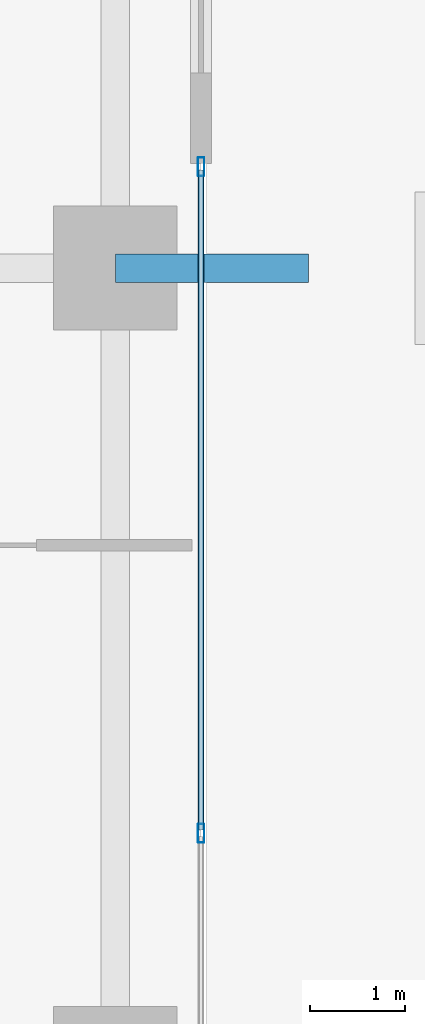
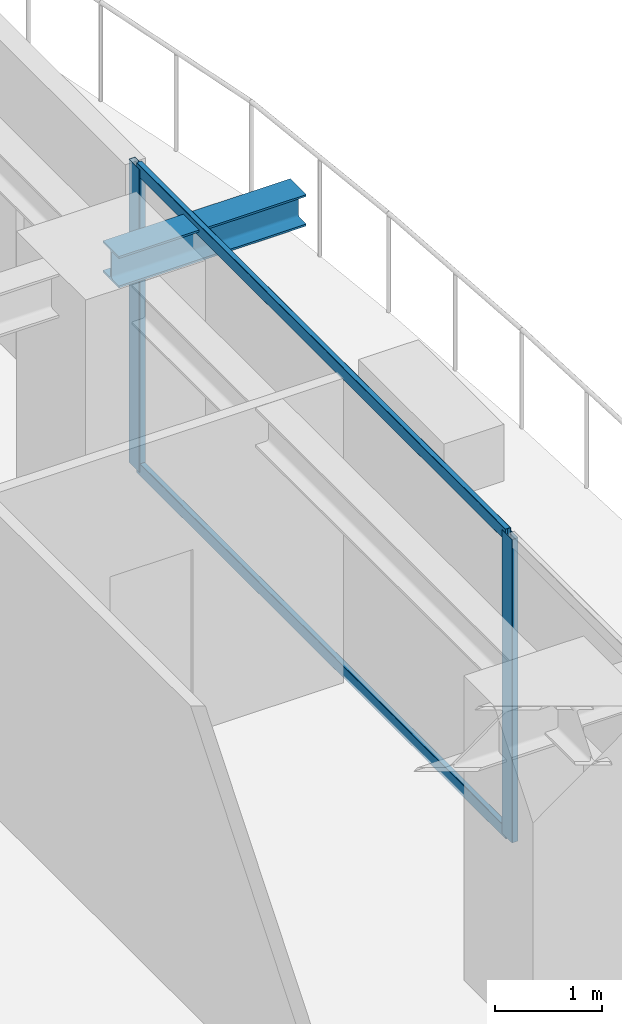
# One storey, part 13 of 33: 4 members, 1 beam, 1 element without a shape of its own.
"""IFC4 building model written with IfcOpenShell, lengths in metres."""

import ifcopenshell
import ifcopenshell.guid

model = None  # the IFC model being written
_history = None  # IfcOwnerHistory: only IFC2X3 demands one
_inside = {}  # id of a spatial element -> (the spatial element, [elements in it])
_under = {}  # id of a project, library or spatial element -> (it, [spatial elements below it])
_declared = {}  # id of a project -> (the project, [libraries it declares])
_typed = {}  # id of a type object -> (the type object, [elements of that type])
_made_of = {}  # id of a material, layer set ... -> (it, [elements and type objects made of it])


def new_model(schema):
    """Start an empty IFC model of exactly this schema.

    Asked for "IFC4X3", IfcOpenShell would pick the latest addendum, in which some entities
    have other attributes; the version numbers below select the first issue.
    IFC2X3 requires an IfcOwnerHistory on every rooted entity: one is made here for all.
    """
    global model, _history
    if schema == "IFC4X3":
        model = ifcopenshell.file(schema_version=(4, 3, 0, 0))
    else:
        model = ifcopenshell.file(schema=schema)
    _inside.clear()
    _under.clear()
    _declared.clear()
    _typed.clear()
    _made_of.clear()
    _history = None
    if model.schema == "IFC2X3":
        org = make("IfcOrganization", Name="unknown")
        user = make(
            "IfcPersonAndOrganization",
            ThePerson=make("IfcPerson", FamilyName="unknown"),
            TheOrganization=org,
        )
        app = make(
            "IfcApplication",
            ApplicationDeveloper=org,
            Version="unknown",
            ApplicationFullName="unknown",
            ApplicationIdentifier="unknown",
        )
        _history = make(
            "IfcOwnerHistory",
            OwningUser=user,
            OwningApplication=app,
            ChangeAction="ADDED",
            CreationDate=0,
        )
    return model


def make(cls, **values):
    """One entity of the class cls with the attributes given. An attribute that is None is left unset."""
    return model.create_entity(
        cls, **{name: value for name, value in values.items() if value is not None}
    )


def rooted(cls, **values):
    """An entity with a GlobalId (a new one), such as an element, a storey or a relation."""
    return make(cls, GlobalId=ifcopenshell.guid.new(), OwnerHistory=_history, **values)


def si_unit(unit_type, name, prefix=None):
    """IfcSIUnit, for example si_unit("LENGTHUNIT", "METRE", prefix="MILLI")."""
    return make("IfcSIUnit", UnitType=unit_type, Prefix=prefix, Name=name)


def assignment(units):
    """IfcUnitAssignment: the units of a project."""
    return None if units is None else make("IfcUnitAssignment", Units=units)


def point(xyz):
    """IfcCartesianPoint."""
    return None if xyz is None else make("IfcCartesianPoint", Coordinates=xyz)


def direction(xyz):
    """IfcDirection."""
    return None if xyz is None else make("IfcDirection", DirectionRatios=xyz)


def frame(location, z_axis=None, x_axis=None):
    """IfcAxis2Placement3D, a coordinate frame: its origin and axes. An axis left out is left unset."""
    return make(
        "IfcAxis2Placement3D",
        Location=point(location),
        Axis=direction(z_axis),
        RefDirection=direction(x_axis),
    )


def frame_2d(location, x_axis=None):
    """IfcAxis2Placement2D, a coordinate frame in the plane: its origin and x axis."""
    return make(
        "IfcAxis2Placement2D", Location=point(location), RefDirection=direction(x_axis)
    )


def origin():
    """The frame at (0, 0, 0) with its axes left unset."""
    return frame((0.0, 0.0, 0.0))


def origin_2d():
    """The frame at (0, 0) in the plane with its x axis left unset."""
    return frame_2d((0.0, 0.0))


def place(relative_to, where):
    """IfcLocalPlacement: puts the frame where relative to a parent placement (None: the world)."""
    return make(
        "IfcLocalPlacement", PlacementRelTo=relative_to, RelativePlacement=where
    )


def context(
    kind, dimensions, precision=None, world=None, true_north=None, identifier=None
):
    """IfcGeometricRepresentationContext, for example the 3D "Model" context."""
    return make(
        "IfcGeometricRepresentationContext",
        ContextIdentifier=identifier,
        ContextType=kind,
        CoordinateSpaceDimension=dimensions,
        Precision=precision,
        WorldCoordinateSystem=world,
        TrueNorth=true_north,
    )


def subcontext(parent, identifier, kind, view, scale=None):
    """IfcGeometricRepresentationSubContext, for example "Body" below "Model"."""
    return make(
        "IfcGeometricRepresentationSubContext",
        ContextIdentifier=identifier,
        ContextType=kind,
        ParentContext=parent,
        TargetScale=scale,
        TargetView=view,
    )


def project(units=None, contexts=None):
    """IfcProject with its units and contexts."""
    return rooted(
        "IfcProject",
        Name="project",
        RepresentationContexts=contexts,
        UnitsInContext=assignment(units),
    )


def spatial(cls, under=None, at=None, **own):
    """A site, building, storey or space (cls), placed at a placement, below another one or the project."""
    s = rooted(cls, ObjectPlacement=at, **own)
    if under is not None:
        _under.setdefault(under.id(), (under, []))[1].append(s)
    return s


def profile(cls, at=None, kind="AREA", **sizes):
    """A parametric profile (cls). Its sizes go by their IFC names, for example OverallWidth=200.0."""
    return make(cls, ProfileType=kind, Position=at, **sizes)


def hollow_rectangle(**sizes):
    """IfcRectangleHollowProfileDef."""
    return profile("IfcRectangleHollowProfileDef", **sizes)


def i_section(**sizes):
    """IfcIShapeProfileDef."""
    return profile("IfcIShapeProfileDef", **sizes)


def extrude(swept, where, along, depth):
    """IfcExtrudedAreaSolid: the profile swept, set in the frame where, extruded along a direction by depth."""
    return make(
        "IfcExtrudedAreaSolid",
        SweptArea=swept,
        Position=where,
        ExtrudedDirection=direction(along),
        Depth=depth,
    )


def shape(context_of_items, identifier, shape_type, items):
    """IfcShapeRepresentation: the items that make up one representation, for example the "Body"."""
    return make(
        "IfcShapeRepresentation",
        ContextOfItems=context_of_items,
        RepresentationIdentifier=identifier,
        RepresentationType=shape_type,
        Items=items,
    )


def source(mapping_origin, context_of_items, identifier, shape_type, items):
    """IfcRepresentationMap: a shape defined once, which mapped items show again and again."""
    return make(
        "IfcRepresentationMap",
        MappingOrigin=mapping_origin,
        MappedRepresentation=shape(context_of_items, identifier, shape_type, items),
    )


def transform(
    local_origin,
    x_axis=None,
    y_axis=None,
    z_axis=None,
    scale=None,
    scale2=None,
    scale3=None,
    uniform=True,
):
    """IfcCartesianTransformationOperator3D, or its non-uniform kind. x_axis, y_axis, z_axis: its Axis1, 2, 3."""
    if uniform:
        return make(
            "IfcCartesianTransformationOperator3D",
            Axis1=direction(x_axis),
            Axis2=direction(y_axis),
            LocalOrigin=point(local_origin),
            Scale=scale,
            Axis3=direction(z_axis),
        )
    return make(
        "IfcCartesianTransformationOperator3DnonUniform",
        Axis1=direction(x_axis),
        Axis2=direction(y_axis),
        LocalOrigin=point(local_origin),
        Scale=scale,
        Axis3=direction(z_axis),
        Scale2=scale2,
        Scale3=scale3,
    )


def mapped(mapping_source, mapping_target):
    """IfcMappedItem: shows the shape of a source again, moved by a transform."""
    return make(
        "IfcMappedItem", MappingSource=mapping_source, MappingTarget=mapping_target
    )


def material(Name=None, Category=None):
    """IfcMaterial."""
    return make("IfcMaterial", Name=Name, Category=Category)


def layer(
    of_material, thickness, ventilated=None, Name=None, Category=None, Priority=None
):
    """IfcMaterialLayer: one layer of a wall or slab, of a material (None: an air gap)."""
    return make(
        "IfcMaterialLayer",
        Material=of_material,
        LayerThickness=thickness,
        IsVentilated=ventilated,
        Name=Name,
        Category=Category,
        Priority=Priority,
    )


def layer_set(layers, Name=None):
    """IfcMaterialLayerSet."""
    return make("IfcMaterialLayerSet", MaterialLayers=layers, LayerSetName=Name)


def material_profile(
    of_material, cross_section, Name=None, Category=None, Priority=None
):
    """IfcMaterialProfile: a cross section and its material."""
    return make(
        "IfcMaterialProfile",
        Name=Name,
        Material=of_material,
        Profile=cross_section,
        Priority=Priority,
        Category=Category,
    )


def profile_set(profiles, Name=None, composite=None):
    """IfcMaterialProfileSet."""
    return make(
        "IfcMaterialProfileSet",
        Name=Name,
        MaterialProfiles=profiles,
        CompositeProfile=composite,
    )


def made_of(thing, what):
    """Note that an element or type object is made of a material, layer set ...; save() writes the relation."""
    if what is not None:
        _made_of.setdefault(what.id(), (what, []))[1].append(thing)
    return thing


def type_object(cls, material=None, **own):
    """A type object (cls), such as IfcWallType, which elements share."""
    return made_of(rooted(cls, **own), material)


def element(
    cls,
    number,
    at=None,
    inside=None,
    cuts=None,
    type_object=None,
    material=None,
    context=None,
    identifier="Body",
    shape_type=None,
    held_by="IfcProductDefinitionShape",
    body=None,
    shapes=None,
    **own,
):
    """One element of the class cls, such as IfcWall. Its Tag is "e" and its number.

    at: its placement. inside: the storey or other place that contains it. cuts: it is an
    opening in that element (IfcRelVoidsElement). A single representation is given by context,
    identifier, shape_type and body (its items); several are given by shapes. held_by: the class
    of the entity that holds the representations. save() writes the other relations.
    """
    e = rooted(cls, Tag="e%d" % number, ObjectPlacement=at, **own)
    if body is not None:
        shapes = [shape(context, identifier, shape_type, body)]
    if shapes is not None:
        e.Representation = make(held_by, Representations=shapes)
    if inside is not None:
        _inside.setdefault(inside.id(), (inside, []))[1].append(e)
    if cuts is not None:
        rooted(
            "IfcRelVoidsElement", RelatingBuildingElement=cuts, RelatedOpeningElement=e
        )
    if type_object is not None:
        _typed.setdefault(type_object.id(), (type_object, []))[1].append(e)
    return made_of(e, material)


def aggregate(whole, parts):
    """IfcRelAggregates: a whole, such as a stair, and the parts it consists of."""
    return rooted("IfcRelAggregates", RelatingObject=whole, RelatedObjects=parts)


def save(model, path):
    """Write the relations noted so far, then the file.

    IfcRelAggregates (storeys below a building ...), IfcRelContainedInSpatialStructure (elements
    in a storey), IfcRelDefinesByType, IfcRelAssociatesMaterial and IfcRelDeclares: one each for
    every whole, place, type object, material and project.
    """
    for whole, parts in _under.values():
        aggregate(whole, parts)
    for where, things in _inside.values():
        rooted(
            "IfcRelContainedInSpatialStructure",
            RelatedElements=things,
            RelatingStructure=where,
        )
    for kind, things in _typed.values():
        rooted("IfcRelDefinesByType", RelatedObjects=things, RelatingType=kind)
    for what, things in _made_of.values():
        rooted("IfcRelAssociatesMaterial", RelatedObjects=things, RelatingMaterial=what)
    for by, libraries in _declared.values():
        rooted("IfcRelDeclares", RelatingContext=by, RelatedDefinitions=libraries)
    model.write(path)


model = new_model("IFC4")

# Units and contexts
model_context = context("Model", 3, precision=1e-05, world=origin(), true_north=direction((0.0, 1.0)))
body_context = subcontext(model_context, "Body", "Model", "MODEL_VIEW")
ifc_project = project(units=[si_unit("LENGTHUNIT", "METRE"), si_unit("AREAUNIT", "SQUARE_METRE"), si_unit("VOLUMEUNIT", "CUBIC_METRE"), si_unit("PLANEANGLEUNIT", "RADIAN"), si_unit("MASSUNIT", "GRAM", prefix="KILO")], contexts=[model_context])

# Site, building, storey
site_placement = place(None, origin())
site = spatial("IfcSite", under=ifc_project, at=site_placement, CompositionType="ELEMENT")
building_placement = place(site_placement, origin())
building = spatial("IfcBuilding", under=site, at=building_placement, Name="Serunith Strait Residences", CompositionType="ELEMENT")
storey_placement = place(building_placement, frame((0.0, 0.0, 150.14990234375)))
storey = spatial("IfcBuildingStorey", under=building, at=storey_placement, Name="L37", CompositionType="ELEMENT", Elevation=150.14990234375)

# Beam
ifc_material_1 = material(Name="Steel S355J2", Category="steel")
ifc_material_profile_1 = material_profile(ifc_material_1, i_section(OverallWidth=0.300048828125, OverallDepth=0.360107421875, WebThickness=0.012451171875, FlangeThickness=0.0224609375, FilletRadius=0.027099609375, at=origin_2d()), Name="HEB 360")
ifc_profile_set_1 = profile_set([ifc_material_profile_1], Name="Steel S355J2")
beam_type = type_object("IfcBeamType", Name="BM-HEB360", PredefinedType="BEAM", material=ifc_profile_set_1)
shared_shape_1 = source(origin(), body_context, "Body", "SweptSolid", [
    extrude(i_section(OverallWidth=0.300048828125, OverallDepth=0.360107421875, WebThickness=0.012451171875, FlangeThickness=0.0224609375, FilletRadius=0.027099609375, at=origin_2d()), origin(), (0.0, 0.0, 1.0), 2.02978515625),
])
beam_placement = place(storey_placement, frame((56.10009765625, 29.39990234375, 3.277099609375), z_axis=(1.0, 0.0, 0.0), x_axis=(0.0, 1.0, 0.0)))
element("IfcBeam", 1, at=beam_placement, inside=storey, type_object=beam_type, Name="L38 Cantilevered Balcony Rib TC-E3", PredefinedType="BEAM", context=body_context, shape_type="MappedRepresentation", body=[
    mapped(shared_shape_1, transform((0.0, 0.0, 0.0), scale=1.0)),
])

# Curtain wall, members
ifc_material_2 = material(Name="Pale-Champagne Anodised Aluminium", Category="aluminium")
ifc_layer = layer(ifc_material_2, 0.199951171875, Name="Pale-Champagne Anodised Aluminium")
ifc_layer_set = layer_set([ifc_layer], Name="Pale-Champagne Anodised Aluminium")
curtain_wall_type = type_object("IfcCurtainWallType", Name="CW-SYS2", PredefinedType="NOTDEFINED", material=ifc_layer_set)
curtain_wall_placement = place(storey_placement, origin())
curtain_wall = element("IfcCurtainWall", 2, at=curtain_wall_placement, inside=storey, type_object=curtain_wall_type, Name="L37 E Unitised Fritted Curtain Wall", PredefinedType="NOTDEFINED")
ifc_material_profile_2 = material_profile(ifc_material_2, hollow_rectangle(XDim=0.070068359375, YDim=0.199951171875, WallThickness=0.00390625, InnerFilletRadius=0.006103515625, OuterFilletRadius=0.010009765625, at=origin_2d()), Name="ALU 200x70x4")
ifc_profile_set_2 = profile_set([ifc_material_profile_2], Name="Pale-Champagne Anodised Aluminium")
member_type_1 = type_object("IfcMemberType", Name="CW-SYS2-MULL", PredefinedType="MULLION", material=ifc_profile_set_2)
shared_shape_2 = source(origin(), body_context, "Body", "SweptSolid", [
    extrude(hollow_rectangle(XDim=0.070068359375, YDim=0.199951171875, WallThickness=0.00390625, InnerFilletRadius=0.006103515625, OuterFilletRadius=0.010009765625, at=origin_2d()), origin(), (0.0, 0.0, 1.0), 3.47509765625),
])
member_1_placement = place(storey_placement, frame((57.0, 23.466552734375, 0.0), z_axis=(0.0, 0.0, 1.0), x_axis=(-1.0, 0.0, 0.0)))
member_1 = element("IfcMember", 3, at=member_1_placement, type_object=member_type_1, Name="CW-2 mullion 3", PredefinedType="MULLION", context=body_context, shape_type="MappedRepresentation", body=[
    mapped(shared_shape_2, transform((0.0, 0.0, 0.0), scale=1.0)),
])
member_2_placement = place(storey_placement, frame((57.0, 30.465087890625, 0.0), z_axis=(0.0, 0.0, 1.0), x_axis=(-1.0, 0.0, 0.0)))
member_2 = element("IfcMember", 4, at=member_2_placement, type_object=member_type_1, Name="CW-2 mullion 4", PredefinedType="MULLION", context=body_context, shape_type="MappedRepresentation", body=[
    mapped(shared_shape_2, transform((0.0, 0.0, 0.0), scale=1.0)),
])
ifc_material_profile_3 = material_profile(ifc_material_2, hollow_rectangle(XDim=0.06005859375, YDim=0.139892578125, WallThickness=0.00341796875, InnerFilletRadius=0.00537109375, OuterFilletRadius=0.0087890625, at=origin_2d()), Name="ALU 140x60x3.5")
ifc_profile_set_3 = profile_set([ifc_material_profile_3], Name="Pale-Champagne Anodised Aluminium")
member_type_2 = type_object("IfcMemberType", Name="CW-SYS2-TRAN", PredefinedType="USERDEFINED", material=ifc_profile_set_3)
shared_shape_3 = source(origin(), body_context, "Body", "SweptSolid", [
    extrude(hollow_rectangle(XDim=0.06005859375, YDim=0.139892578125, WallThickness=0.00341796875, InnerFilletRadius=0.00537109375, OuterFilletRadius=0.0087890625, at=origin_2d()), origin(), (0.0, 0.0, 1.0), 6.92822265625),
])
member_3_placement = place(storey_placement, frame((57.0, 23.501708984375, 0.030029296875), z_axis=(0.0, 1.0, 0.0), x_axis=(-1.0, 0.0, 0.0)))
member_3 = element("IfcMember", 5, at=member_3_placement, type_object=member_type_2, Name="CW-2 transom 3.1", ObjectType="TRANSOM", PredefinedType="USERDEFINED", context=body_context, shape_type="MappedRepresentation", body=[
    mapped(shared_shape_3, transform((0.0, 0.0, 0.0), scale=1.0)),
])
member_4_placement = place(storey_placement, frame((57.0, 23.501708984375, 3.445068359375), z_axis=(0.0, 1.0, 0.0), x_axis=(-1.0, 0.0, 0.0)))
member_4 = element("IfcMember", 6, at=member_4_placement, type_object=member_type_2, Name="CW-2 transom 3.2", ObjectType="TRANSOM", PredefinedType="USERDEFINED", context=body_context, shape_type="MappedRepresentation", body=[
    mapped(shared_shape_3, transform((0.0, 0.0, 0.0), scale=1.0)),
])
aggregate(curtain_wall, [member_1, member_2, member_3, member_4])

save(model, "model.ifc")
